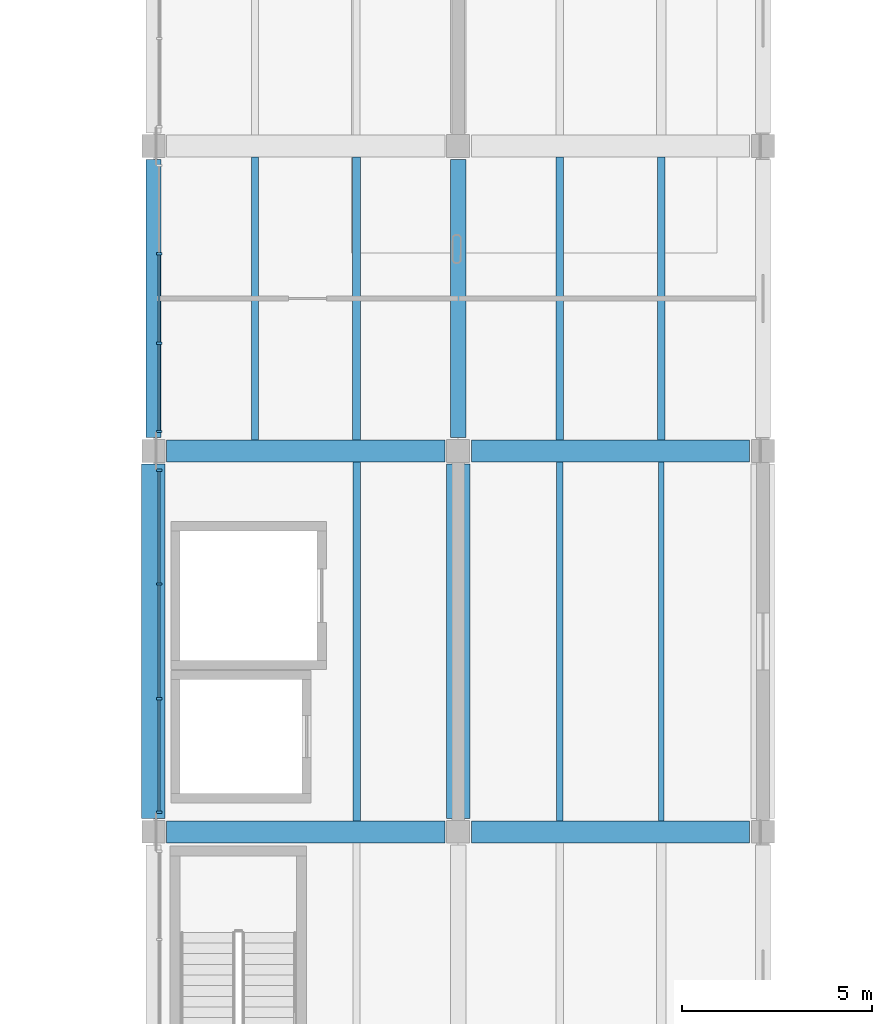
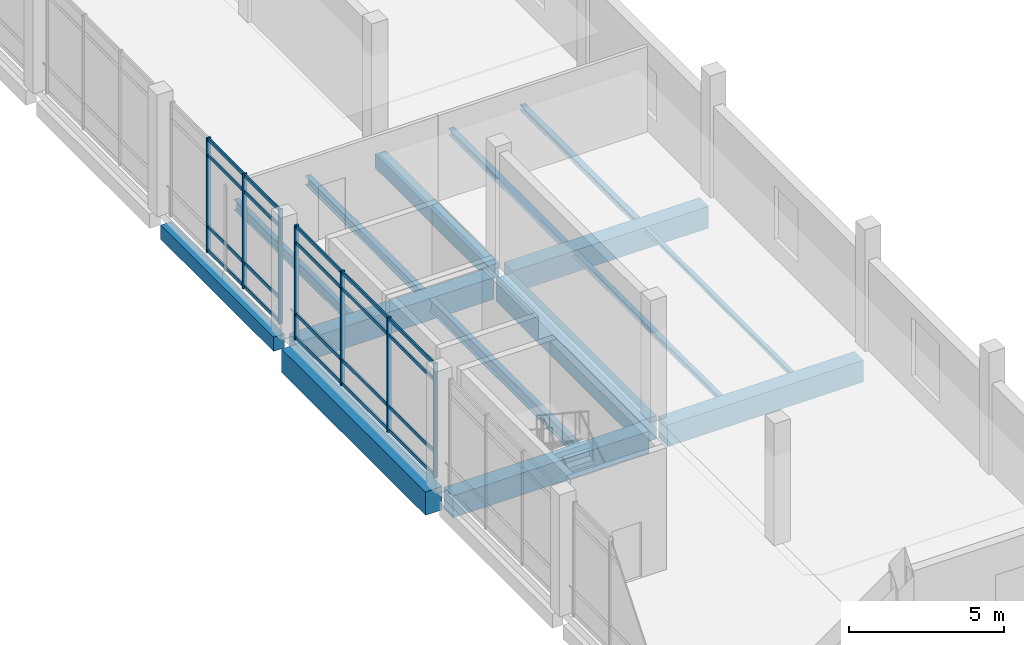
# One storey, part 15 of 47: 27 members, 15 beams, 2 elements without a shape of their own.
"""IFC4 building model written with IfcOpenShell, lengths in metres."""

from ifc_helpers import new_model, si_unit, direction, frame, origin, origin_2d, place, context, subcontext, project, spatial, rectangle, i_section, extrude, material, material_profile, profile_set, type_object, element, aggregate, save


model = new_model("IFC4")

# Units and contexts
model_context = context("Model", 3, precision=1e-05, world=origin(), true_north=direction((0.0, 1.0)))
body_context = subcontext(model_context, "Body", "Model", "MODEL_VIEW")
ifc_project = project(units=[si_unit("LENGTHUNIT", "METRE"), si_unit("AREAUNIT", "SQUARE_METRE"), si_unit("VOLUMEUNIT", "CUBIC_METRE"), si_unit("PLANEANGLEUNIT", "RADIAN"), si_unit("MASSUNIT", "GRAM", prefix="KILO")], contexts=[model_context])

# Site, building, storey
site_placement = place(None, origin())
site = spatial("IfcSite", under=ifc_project, at=site_placement, CompositionType="ELEMENT")
building_placement = place(site_placement, origin())
building = spatial("IfcBuilding", under=site, at=building_placement, Name="Pecanmere Concourse Central Library", CompositionType="ELEMENT")
storey_placement = place(building_placement, frame((0.0, 0.0, 15.300048828125)))
storey = spatial("IfcBuildingStorey", under=building, at=storey_placement, Name="L04", CompositionType="ELEMENT", Elevation=15.300048828125)

# Beams
ifc_material_1 = material(Name="Concrete C40/50", Category="concrete")
ifc_material_profile_1 = material_profile(ifc_material_1, rectangle(XDim=0.39990234375, YDim=0.56005859375, at=origin_2d()), Name="RC 400x560")
ifc_profile_set_1 = profile_set([ifc_material_profile_1], Name="Concrete C40/50")
beam_type_1 = type_object("IfcBeamType", Name="BM_400x560", PredefinedType="BEAM", material=ifc_profile_set_1)
for number, where, z_axis, x_axis, name in (
    (1, (112.0, 74.35009765625, -0.60009765625), (0.0, 1.0, 0.0), (-1.0, 0.0, 0.0), "Primary Girder Y L04-2292"),
    (2, (120.0, 74.35009765625, -0.60009765625), (0.0, 1.0, 0.0), (-1.0, 0.0, 0.0), "Primary Girder Y L04-2299"),
):
    element("IfcBeam", number, at=place(storey_placement, frame(where, z_axis=z_axis, x_axis=x_axis)), inside=storey, type_object=beam_type_1, Name=name, PredefinedType="BEAM", context=body_context, shape_type="SweptSolid", body=[
        extrude(rectangle(XDim=0.39990234375, YDim=0.56005859375, at=origin_2d()), origin(), (0.0, 0.0, 1.0), 7.2998046875),
    ])

# Curtain wall, members
ifc_material_2 = material(Name="Clear anodized aluminium alloy 6063-T6", Category="aluminium")
curtain_wall_type = type_object("IfcCurtainWallType", Name="CW_CLOISTER_GLAZ", PredefinedType="USERDEFINED", material=ifc_material_2)
curtain_wall_1_placement = place(storey_placement, origin())
curtain_wall_1 = element("IfcCurtainWall", 3, at=curtain_wall_1_placement, inside=storey, type_object=curtain_wall_type, Name="Unitised Curtain Wall CW-04 L04-143", ObjectType="UNITISED CURTAIN WALL", PredefinedType="USERDEFINED")
ifc_material_3 = material(Name="Clear anodized aluminium alloy 6063-T6", Category="aluminium")
ifc_material_profile_2 = material_profile(ifc_material_3, rectangle(XDim=0.06005859375, YDim=0.14990234375, at=origin_2d()), Name="AL 60x150")
ifc_profile_set_2 = profile_set([ifc_material_profile_2], Name="Clear anodized aluminium alloy 6063-T6")
member_type_1 = type_object("IfcMemberType", Name="CWM_150x60", PredefinedType="MULLION", material=ifc_profile_set_2)
member_1_placement = place(storey_placement, frame((112.14990234375, 73.489990234375, 0.0), z_axis=(0.0, 0.0, 1.0), x_axis=(0.0, -1.0, 0.0)))
member_1 = element("IfcMember", 4, at=member_1_placement, type_object=member_type_1, Name="CW-04 Mullion 1", PredefinedType="MULLION", context=body_context, shape_type="SweptSolid", body=[
    extrude(rectangle(XDim=0.06005859375, YDim=0.14990234375, at=origin_2d()), origin(), (0.0, 0.0, 1.0), 4.52001953125),
])
member_2_placement = place(storey_placement, frame((112.14990234375, 70.506591796875, 0.0), z_axis=(0.0, 0.0, 1.0), x_axis=(0.0, -1.0, 0.0)))
member_2 = element("IfcMember", 5, at=member_2_placement, type_object=member_type_1, Name="CW-04 Mullion 2", PredefinedType="MULLION", context=body_context, shape_type="SweptSolid", body=[
    extrude(rectangle(XDim=0.06005859375, YDim=0.14990234375, at=origin_2d()), origin(), (0.0, 0.0, 1.0), 4.52001953125),
])
member_3_placement = place(storey_placement, frame((112.14990234375, 67.493408203125, 0.0), z_axis=(0.0, 0.0, 1.0), x_axis=(0.0, -1.0, 0.0)))
member_3 = element("IfcMember", 6, at=member_3_placement, type_object=member_type_1, Name="CW-04 Mullion 3", PredefinedType="MULLION", context=body_context, shape_type="SweptSolid", body=[
    extrude(rectangle(XDim=0.06005859375, YDim=0.14990234375, at=origin_2d()), origin(), (0.0, 0.0, 1.0), 4.52001953125),
])
member_4_placement = place(storey_placement, frame((112.14990234375, 64.510009765625, 0.0), z_axis=(0.0, 0.0, 1.0), x_axis=(0.0, -1.0, 0.0)))
member_4 = element("IfcMember", 7, at=member_4_placement, type_object=member_type_1, Name="CW-04 Mullion 4", PredefinedType="MULLION", context=body_context, shape_type="SweptSolid", body=[
    extrude(rectangle(XDim=0.06005859375, YDim=0.14990234375, at=origin_2d()), origin(), (0.0, 0.0, 1.0), 4.52001953125),
])

curtain_wall_2_placement = place(storey_placement, origin())
curtain_wall_2 = element("IfcCurtainWall", 8, at=curtain_wall_2_placement, inside=storey, type_object=curtain_wall_type, Name="Unitised Curtain Wall CW-04 L04-145", ObjectType="UNITISED CURTAIN WALL", PredefinedType="USERDEFINED")
member_5_placement = place(storey_placement, frame((112.14990234375, 79.17333984375, 0.0), z_axis=(0.0, 0.0, 1.0), x_axis=(0.0, -1.0, 0.0)))
member_5 = element("IfcMember", 9, at=member_5_placement, type_object=member_type_1, Name="CW-04 Mullion 2", PredefinedType="MULLION", context=body_context, shape_type="SweptSolid", body=[
    extrude(rectangle(XDim=0.06005859375, YDim=0.14990234375, at=origin_2d()), origin(), (0.0, 0.0, 1.0), 4.52001953125),
])
member_6_placement = place(storey_placement, frame((112.14990234375, 76.82666015625, 0.0), z_axis=(0.0, 0.0, 1.0), x_axis=(0.0, -1.0, 0.0)))
member_6 = element("IfcMember", 10, at=member_6_placement, type_object=member_type_1, Name="CW-04 Mullion 3", PredefinedType="MULLION", context=body_context, shape_type="SweptSolid", body=[
    extrude(rectangle(XDim=0.06005859375, YDim=0.14990234375, at=origin_2d()), origin(), (0.0, 0.0, 1.0), 4.52001953125),
])
member_7_placement = place(storey_placement, frame((112.14990234375, 74.510009765625, 0.0), z_axis=(0.0, 0.0, 1.0), x_axis=(0.0, -1.0, 0.0)))
member_7 = element("IfcMember", 11, at=member_7_placement, type_object=member_type_1, Name="CW-04 Mullion 4", PredefinedType="MULLION", context=body_context, shape_type="SweptSolid", body=[
    extrude(rectangle(XDim=0.06005859375, YDim=0.14990234375, at=origin_2d()), origin(), (0.0, 0.0, 1.0), 4.52001953125),
])

# Member
ifc_material_4 = material(Name="Clear anodized aluminium alloy 6063-T6", Category="aluminium")
ifc_material_profile_3 = material_profile(ifc_material_4, rectangle(XDim=0.054931640625, YDim=0.139892578125, at=origin_2d()), Name="AL 55x140")
ifc_profile_set_3 = profile_set([ifc_material_profile_3], Name="Clear anodized aluminium alloy 6063-T6")
member_type_2 = type_object("IfcMemberType", Name="CWT_140x55", PredefinedType="USERDEFINED", material=ifc_profile_set_3)
member_8_placement = place(storey_placement, frame((112.14990234375, 73.4599609375, 0.070068359375), z_axis=(0.0, -1.0, 0.0), x_axis=(1.0, 0.0, 0.0)))
member_8 = element("IfcMember", 12, at=member_8_placement, type_object=member_type_2, Name="CW-04 Transom 1.1", ObjectType="TRANSOM", PredefinedType="USERDEFINED", context=body_context, shape_type="SweptSolid", body=[
    extrude(rectangle(XDim=0.054931640625, YDim=0.139892578125, at=origin_2d()), origin(), (0.0, 0.0, 1.0), 2.92333984375),
])

member_9_placement = place(storey_placement, frame((112.14990234375, 73.4599609375, 1.0), z_axis=(0.0, -1.0, 0.0), x_axis=(1.0, 0.0, 0.0)))
member_9 = element("IfcMember", 13, at=member_9_placement, type_object=member_type_2, Name="CW-04 Transom 1.2", ObjectType="TRANSOM", PredefinedType="USERDEFINED", context=body_context, shape_type="SweptSolid", body=[
    extrude(rectangle(XDim=0.054931640625, YDim=0.139892578125, at=origin_2d()), origin(), (0.0, 0.0, 1.0), 2.92333984375),
])

member_10_placement = place(storey_placement, frame((112.14990234375, 73.4599609375, 3.820068359375), z_axis=(0.0, -1.0, 0.0), x_axis=(1.0, 0.0, 0.0)))
member_10 = element("IfcMember", 14, at=member_10_placement, type_object=member_type_2, Name="CW-04 Transom 1.3", ObjectType="TRANSOM", PredefinedType="USERDEFINED", context=body_context, shape_type="SweptSolid", body=[
    extrude(rectangle(XDim=0.054931640625, YDim=0.139892578125, at=origin_2d()), origin(), (0.0, 0.0, 1.0), 2.92333984375),
])

member_11_placement = place(storey_placement, frame((112.14990234375, 73.4599609375, 4.449951171875), z_axis=(0.0, -1.0, 0.0), x_axis=(1.0, 0.0, 0.0)))
member_11 = element("IfcMember", 15, at=member_11_placement, type_object=member_type_2, Name="CW-04 Transom 1.4", ObjectType="TRANSOM", PredefinedType="USERDEFINED", context=body_context, shape_type="SweptSolid", body=[
    extrude(rectangle(XDim=0.054931640625, YDim=0.139892578125, at=origin_2d()), origin(), (0.0, 0.0, 1.0), 2.92333984375),
])

member_12_placement = place(storey_placement, frame((112.14990234375, 70.4765625, 0.070068359375), z_axis=(0.0, -1.0, 0.0), x_axis=(1.0, 0.0, 0.0)))
member_12 = element("IfcMember", 16, at=member_12_placement, type_object=member_type_2, Name="CW-04 Transom 2.1", ObjectType="TRANSOM", PredefinedType="USERDEFINED", context=body_context, shape_type="SweptSolid", body=[
    extrude(rectangle(XDim=0.054931640625, YDim=0.139892578125, at=origin_2d()), origin(), (0.0, 0.0, 1.0), 2.953125),
])

member_13_placement = place(storey_placement, frame((112.14990234375, 70.4765625, 1.0), z_axis=(0.0, -1.0, 0.0), x_axis=(1.0, 0.0, 0.0)))
member_13 = element("IfcMember", 17, at=member_13_placement, type_object=member_type_2, Name="CW-04 Transom 2.2", ObjectType="TRANSOM", PredefinedType="USERDEFINED", context=body_context, shape_type="SweptSolid", body=[
    extrude(rectangle(XDim=0.054931640625, YDim=0.139892578125, at=origin_2d()), origin(), (0.0, 0.0, 1.0), 2.953125),
])

member_14_placement = place(storey_placement, frame((112.14990234375, 70.4765625, 3.820068359375), z_axis=(0.0, -1.0, 0.0), x_axis=(1.0, 0.0, 0.0)))
member_14 = element("IfcMember", 18, at=member_14_placement, type_object=member_type_2, Name="CW-04 Transom 2.3", ObjectType="TRANSOM", PredefinedType="USERDEFINED", context=body_context, shape_type="SweptSolid", body=[
    extrude(rectangle(XDim=0.054931640625, YDim=0.139892578125, at=origin_2d()), origin(), (0.0, 0.0, 1.0), 2.953125),
])

member_15_placement = place(storey_placement, frame((112.14990234375, 70.4765625, 4.449951171875), z_axis=(0.0, -1.0, 0.0), x_axis=(1.0, 0.0, 0.0)))
member_15 = element("IfcMember", 19, at=member_15_placement, type_object=member_type_2, Name="CW-04 Transom 2.4", ObjectType="TRANSOM", PredefinedType="USERDEFINED", context=body_context, shape_type="SweptSolid", body=[
    extrude(rectangle(XDim=0.054931640625, YDim=0.139892578125, at=origin_2d()), origin(), (0.0, 0.0, 1.0), 2.953125),
])

member_16_placement = place(storey_placement, frame((112.14990234375, 67.46337890625, 0.070068359375), z_axis=(0.0, -1.0, 0.0), x_axis=(1.0, 0.0, 0.0)))
member_16 = element("IfcMember", 20, at=member_16_placement, type_object=member_type_2, Name="CW-04 Transom 3.1", ObjectType="TRANSOM", PredefinedType="USERDEFINED", context=body_context, shape_type="SweptSolid", body=[
    extrude(rectangle(XDim=0.054931640625, YDim=0.139892578125, at=origin_2d()), origin(), (0.0, 0.0, 1.0), 2.92333984375),
])

member_17_placement = place(storey_placement, frame((112.14990234375, 67.46337890625, 1.0), z_axis=(0.0, -1.0, 0.0), x_axis=(1.0, 0.0, 0.0)))
member_17 = element("IfcMember", 21, at=member_17_placement, type_object=member_type_2, Name="CW-04 Transom 3.2", ObjectType="TRANSOM", PredefinedType="USERDEFINED", context=body_context, shape_type="SweptSolid", body=[
    extrude(rectangle(XDim=0.054931640625, YDim=0.139892578125, at=origin_2d()), origin(), (0.0, 0.0, 1.0), 2.92333984375),
])

member_18_placement = place(storey_placement, frame((112.14990234375, 67.46337890625, 3.820068359375), z_axis=(0.0, -1.0, 0.0), x_axis=(1.0, 0.0, 0.0)))
member_18 = element("IfcMember", 22, at=member_18_placement, type_object=member_type_2, Name="CW-04 Transom 3.3", ObjectType="TRANSOM", PredefinedType="USERDEFINED", context=body_context, shape_type="SweptSolid", body=[
    extrude(rectangle(XDim=0.054931640625, YDim=0.139892578125, at=origin_2d()), origin(), (0.0, 0.0, 1.0), 2.92333984375),
])

member_19_placement = place(storey_placement, frame((112.14990234375, 67.46337890625, 4.449951171875), z_axis=(0.0, -1.0, 0.0), x_axis=(1.0, 0.0, 0.0)))
member_19 = element("IfcMember", 23, at=member_19_placement, type_object=member_type_2, Name="CW-04 Transom 3.4", ObjectType="TRANSOM", PredefinedType="USERDEFINED", context=body_context, shape_type="SweptSolid", body=[
    extrude(rectangle(XDim=0.054931640625, YDim=0.139892578125, at=origin_2d()), origin(), (0.0, 0.0, 1.0), 2.92333984375),
])

aggregate(curtain_wall_1, [member_1, member_2, member_3, member_4, member_8, member_9, member_10, member_11, member_12, member_13, member_14, member_15, member_16, member_17, member_18, member_19])

member_20_placement = place(storey_placement, frame((112.14990234375, 79.143310546875, 0.070068359375), z_axis=(0.0, -1.0, 0.0), x_axis=(1.0, 0.0, 0.0)))
member_20 = element("IfcMember", 24, at=member_20_placement, type_object=member_type_2, Name="CW-04 Transom 2.1", ObjectType="TRANSOM", PredefinedType="USERDEFINED", context=body_context, shape_type="SweptSolid", body=[
    extrude(rectangle(XDim=0.054931640625, YDim=0.139892578125, at=origin_2d()), origin(), (0.0, 0.0, 1.0), 2.28662109375),
])

member_21_placement = place(storey_placement, frame((112.14990234375, 79.143310546875, 1.0), z_axis=(0.0, -1.0, 0.0), x_axis=(1.0, 0.0, 0.0)))
member_21 = element("IfcMember", 25, at=member_21_placement, type_object=member_type_2, Name="CW-04 Transom 2.2", ObjectType="TRANSOM", PredefinedType="USERDEFINED", context=body_context, shape_type="SweptSolid", body=[
    extrude(rectangle(XDim=0.054931640625, YDim=0.139892578125, at=origin_2d()), origin(), (0.0, 0.0, 1.0), 2.28662109375),
])

member_22_placement = place(storey_placement, frame((112.14990234375, 79.143310546875, 3.820068359375), z_axis=(0.0, -1.0, 0.0), x_axis=(1.0, 0.0, 0.0)))
member_22 = element("IfcMember", 26, at=member_22_placement, type_object=member_type_2, Name="CW-04 Transom 2.3", ObjectType="TRANSOM", PredefinedType="USERDEFINED", context=body_context, shape_type="SweptSolid", body=[
    extrude(rectangle(XDim=0.054931640625, YDim=0.139892578125, at=origin_2d()), origin(), (0.0, 0.0, 1.0), 2.28662109375),
])

member_23_placement = place(storey_placement, frame((112.14990234375, 79.143310546875, 4.449951171875), z_axis=(0.0, -1.0, 0.0), x_axis=(1.0, 0.0, 0.0)))
member_23 = element("IfcMember", 27, at=member_23_placement, type_object=member_type_2, Name="CW-04 Transom 2.4", ObjectType="TRANSOM", PredefinedType="USERDEFINED", context=body_context, shape_type="SweptSolid", body=[
    extrude(rectangle(XDim=0.054931640625, YDim=0.139892578125, at=origin_2d()), origin(), (0.0, 0.0, 1.0), 2.28662109375),
])

member_24_placement = place(storey_placement, frame((112.14990234375, 76.796630859375, 0.070068359375), z_axis=(0.0, -1.0, 0.0), x_axis=(1.0, 0.0, 0.0)))
member_24 = element("IfcMember", 28, at=member_24_placement, type_object=member_type_2, Name="CW-04 Transom 3.1", ObjectType="TRANSOM", PredefinedType="USERDEFINED", context=body_context, shape_type="SweptSolid", body=[
    extrude(rectangle(XDim=0.054931640625, YDim=0.139892578125, at=origin_2d()), origin(), (0.0, 0.0, 1.0), 2.256591796875),
])

member_25_placement = place(storey_placement, frame((112.14990234375, 76.796630859375, 1.0), z_axis=(0.0, -1.0, 0.0), x_axis=(1.0, 0.0, 0.0)))
member_25 = element("IfcMember", 29, at=member_25_placement, type_object=member_type_2, Name="CW-04 Transom 3.2", ObjectType="TRANSOM", PredefinedType="USERDEFINED", context=body_context, shape_type="SweptSolid", body=[
    extrude(rectangle(XDim=0.054931640625, YDim=0.139892578125, at=origin_2d()), origin(), (0.0, 0.0, 1.0), 2.256591796875),
])

member_26_placement = place(storey_placement, frame((112.14990234375, 76.796630859375, 3.820068359375), z_axis=(0.0, -1.0, 0.0), x_axis=(1.0, 0.0, 0.0)))
member_26 = element("IfcMember", 30, at=member_26_placement, type_object=member_type_2, Name="CW-04 Transom 3.3", ObjectType="TRANSOM", PredefinedType="USERDEFINED", context=body_context, shape_type="SweptSolid", body=[
    extrude(rectangle(XDim=0.054931640625, YDim=0.139892578125, at=origin_2d()), origin(), (0.0, 0.0, 1.0), 2.256591796875),
])

member_27_placement = place(storey_placement, frame((112.14990234375, 76.796630859375, 4.449951171875), z_axis=(0.0, -1.0, 0.0), x_axis=(1.0, 0.0, 0.0)))
member_27 = element("IfcMember", 31, at=member_27_placement, type_object=member_type_2, Name="CW-04 Transom 3.4", ObjectType="TRANSOM", PredefinedType="USERDEFINED", context=body_context, shape_type="SweptSolid", body=[
    extrude(rectangle(XDim=0.054931640625, YDim=0.139892578125, at=origin_2d()), origin(), (0.0, 0.0, 1.0), 2.256591796875),
])

aggregate(curtain_wall_2, [member_5, member_6, member_7, member_20, member_21, member_22, member_23, member_24, member_25, member_26, member_27])

# Beams
ifc_material_5 = material(Name="Concrete C40/50", Category="concrete")
ifc_material_profile_4 = material_profile(ifc_material_5, rectangle(XDim=0.580078125, YDim=0.860107421875, at=origin_2d()), Name="RC 580x860")
ifc_profile_set_4 = profile_set([ifc_material_profile_4], Name="Concrete C40/50")
beam_type_2 = type_object("IfcBeamType", Name="GRD_580x860", PredefinedType="USERDEFINED", material=ifc_profile_set_4)
for number, where, z_axis, x_axis, name in (
    (32, (112.35009765625, 64.0, -0.75), (1.0, 0.0, 0.0), (0.0, 1.0, 0.0), "Primary Girder X L04-2169"),
    (33, (120.35009765625, 64.0, -0.75), (1.0, 0.0, 0.0), (0.0, 1.0, 0.0), "Primary Girder X L04-2170"),
    (34, (112.35009765625, 74.0, -0.75), (1.0, 0.0, 0.0), (0.0, 1.0, 0.0), "Primary Girder X L04-2173"),
    (35, (120.35009765625, 74.0, -0.75), (1.0, 0.0, 0.0), (0.0, 1.0, 0.0), "Primary Girder X L04-2174"),
):
    element("IfcBeam", number, at=place(storey_placement, frame(where, z_axis=z_axis, x_axis=x_axis)), inside=storey, type_object=beam_type_2, Name=name, ObjectType="GIRDER", PredefinedType="USERDEFINED", context=body_context, shape_type="SweptSolid", body=[
        extrude(rectangle(XDim=0.580078125, YDim=0.860107421875, at=origin_2d()), origin(), (0.0, 0.0, 1.0), 7.2998046875),
    ])
ifc_material_6 = material(Name="Concrete C40/50", Category="concrete")
ifc_material_profile_5 = material_profile(ifc_material_6, rectangle(XDim=0.6201171875, YDim=0.919921875, at=origin_2d()), Name="RC 620x920")
ifc_profile_set_5 = profile_set([ifc_material_profile_5], Name="Concrete C40/50")
beam_type_3 = type_object("IfcBeamType", Name="GRD_620x920", PredefinedType="USERDEFINED", material=ifc_profile_set_5)
for number, where, z_axis, x_axis, name in (
    (36, (112.0, 64.35009765625, -0.780029296875), (0.0, 1.0, 0.0), (-1.0, 0.0, 0.0), "Primary Girder Y L04-2291"),
    (37, (120.0, 64.35009765625, -0.780029296875), (0.0, 1.0, 0.0), (-1.0, 0.0, 0.0), "Primary Girder Y L04-2298"),
):
    element("IfcBeam", number, at=place(storey_placement, frame(where, z_axis=z_axis, x_axis=x_axis)), inside=storey, type_object=beam_type_3, Name=name, ObjectType="GIRDER", PredefinedType="USERDEFINED", context=body_context, shape_type="SweptSolid", body=[
        extrude(rectangle(XDim=0.6201171875, YDim=0.919921875, at=origin_2d()), origin(), (0.0, 0.0, 1.0), 9.2998046875),
    ])
ifc_material_7 = material(Name="Structural steel ASTM A992 Grade 50", Category="steel")
ifc_material_profile_6 = material_profile(ifc_material_7, i_section(OverallWidth=0.152099609375, OverallDepth=0.152099609375, WebThickness=0.005859375, FlangeThickness=0.006591796875, at=origin_2d()), Name="W150x22.5")
ifc_profile_set_6 = profile_set([ifc_material_profile_6], Name="Structural steel ASTM A992 Grade 50")
beam_type_4 = type_object("IfcBeamType", Name="SBM_W150x22", PredefinedType="LINTEL", material=ifc_profile_set_6)
beam_1_placement = place(storey_placement, frame((125.333251953125, 64.2900390625, -0.39599609375), z_axis=(0.0, 1.0, 0.0), x_axis=(-1.0, 0.0, 0.0)))
element("IfcBeam", 38, at=beam_1_placement, inside=storey, type_object=beam_type_4, Name="Secondary Floor Joist L04-2417", PredefinedType="LINTEL", context=body_context, shape_type="SweptSolid", body=[
    extrude(i_section(OverallWidth=0.152099609375, OverallDepth=0.152099609375, WebThickness=0.005859375, FlangeThickness=0.006591796875, at=origin_2d()), origin(), (0.0, 0.0, 1.0), 9.419921875),
])
ifc_material_8 = material(Name="Structural steel ASTM A992 Grade 50", Category="steel")
ifc_material_profile_7 = material_profile(ifc_material_8, i_section(OverallWidth=0.1650390625, OverallDepth=0.200927734375, WebThickness=0.006103515625, FlangeThickness=0.01025390625, at=origin_2d()), Name="W200x35.9")
ifc_profile_set_7 = profile_set([ifc_material_profile_7], Name="Structural steel ASTM A992 Grade 50")
beam_type_5 = type_object("IfcBeamType", Name="SBM_W200x36", PredefinedType="LINTEL", material=ifc_profile_set_7)
beam_2_placement = place(storey_placement, frame((122.666748046875, 64.2900390625, -0.420654296875), z_axis=(0.0, 1.0, 0.0), x_axis=(-1.0, 0.0, 0.0)))
element("IfcBeam", 39, at=beam_2_placement, inside=storey, type_object=beam_type_5, Name="Secondary Floor Joist L04-2416", PredefinedType="LINTEL", context=body_context, shape_type="SweptSolid", body=[
    extrude(i_section(OverallWidth=0.1650390625, OverallDepth=0.200927734375, WebThickness=0.006103515625, FlangeThickness=0.01025390625, at=origin_2d()), origin(), (0.0, 0.0, 1.0), 9.419921875),
])
ifc_material_9 = material(Name="Structural steel ASTM A992 Grade 50", Category="steel")
ifc_material_profile_8 = material_profile(ifc_material_9, i_section(OverallWidth=0.2041015625, OverallDepth=0.2060546875, WebThickness=0.0078125, FlangeThickness=0.0126953125, at=origin_2d()), Name="W200x52")
ifc_profile_set_8 = profile_set([ifc_material_profile_8], Name="Structural steel ASTM A992 Grade 50")
beam_type_6 = type_object("IfcBeamType", Name="SBM_W200x52", PredefinedType="JOIST", material=ifc_profile_set_8)
beam_3_placement = place(storey_placement, frame((125.333251953125, 74.2900390625, -0.423095703125), z_axis=(0.0, 1.0, 0.0), x_axis=(-1.0, 0.0, 0.0)))
element("IfcBeam", 40, at=beam_3_placement, inside=storey, type_object=beam_type_6, Name="Secondary Floor Joist L04-2419", PredefinedType="JOIST", context=body_context, shape_type="SweptSolid", body=[
    extrude(i_section(OverallWidth=0.2041015625, OverallDepth=0.2060546875, WebThickness=0.0078125, FlangeThickness=0.0126953125, at=origin_2d()), origin(), (0.0, 0.0, 1.0), 7.419921875),
])
ifc_material_10 = material(Name="Structural steel ASTM A992 Grade 50", Category="steel")
ifc_material_profile_9 = material_profile(ifc_material_10, i_section(OverallWidth=0.201904296875, OverallDepth=0.2470703125, WebThickness=0.00732421875, FlangeThickness=0.010986328125, at=origin_2d()), Name="W250x49.1")
ifc_profile_set_9 = profile_set([ifc_material_profile_9], Name="Structural steel ASTM A992 Grade 50")
beam_type_7 = type_object("IfcBeamType", Name="SBM_W250x49", PredefinedType="JOIST", material=ifc_profile_set_9)
beam_4_placement = place(storey_placement, frame((122.666748046875, 74.2900390625, -0.443603515625), z_axis=(0.0, 1.0, 0.0), x_axis=(-1.0, 0.0, 0.0)))
element("IfcBeam", 41, at=beam_4_placement, inside=storey, type_object=beam_type_7, Name="Secondary Floor Joist L04-2418", PredefinedType="JOIST", context=body_context, shape_type="SweptSolid", body=[
    extrude(i_section(OverallWidth=0.201904296875, OverallDepth=0.2470703125, WebThickness=0.00732421875, FlangeThickness=0.010986328125, at=origin_2d()), origin(), (0.0, 0.0, 1.0), 7.419921875),
])
ifc_material_11 = material(Name="Structural steel ASTM A992 Grade 50", Category="steel")
ifc_material_profile_10 = material_profile(ifc_material_11, i_section(OverallWidth=0.202880859375, OverallDepth=0.346923828125, WebThickness=0.0078125, FlangeThickness=0.013427734375, at=origin_2d()), Name="W360x64")
ifc_profile_set_10 = profile_set([ifc_material_profile_10], Name="Structural steel ASTM A992 Grade 50")
beam_type_8 = type_object("IfcBeamType", Name="SBM_W360x64", PredefinedType="JOIST", material=ifc_profile_set_10)
beam_5_placement = place(storey_placement, frame((117.333251953125, 74.2900390625, -0.49365234375), z_axis=(0.0, 1.0, 0.0), x_axis=(-1.0, 0.0, 0.0)))
element("IfcBeam", 42, at=beam_5_placement, inside=storey, type_object=beam_type_8, Name="Secondary Floor Joist L04-2405", PredefinedType="JOIST", context=body_context, shape_type="SweptSolid", body=[
    extrude(i_section(OverallWidth=0.202880859375, OverallDepth=0.346923828125, WebThickness=0.0078125, FlangeThickness=0.013427734375, at=origin_2d()), origin(), (0.0, 0.0, 1.0), 7.419921875),
])
ifc_material_12 = material(Name="Structural steel ASTM A992 Grade 50", Category="steel")
ifc_material_profile_11 = material_profile(ifc_material_12, i_section(OverallWidth=0.177978515625, OverallDepth=0.406982421875, WebThickness=0.0078125, FlangeThickness=0.0126953125, at=origin_2d()), Name="W410x60")
ifc_profile_set_11 = profile_set([ifc_material_profile_11], Name="Structural steel ASTM A992 Grade 50")
beam_type_9 = type_object("IfcBeamType", Name="SBM_W410x60", PredefinedType="JOIST", material=ifc_profile_set_11)
beam_6_placement = place(storey_placement, frame((114.666748046875, 74.2900390625, -0.5234375), z_axis=(0.0, 1.0, 0.0), x_axis=(-1.0, 0.0, 0.0)))
element("IfcBeam", 43, at=beam_6_placement, inside=storey, type_object=beam_type_9, Name="Secondary Floor Joist L04-2404", PredefinedType="JOIST", context=body_context, shape_type="SweptSolid", body=[
    extrude(i_section(OverallWidth=0.177978515625, OverallDepth=0.406982421875, WebThickness=0.0078125, FlangeThickness=0.0126953125, at=origin_2d()), origin(), (0.0, 0.0, 1.0), 7.419921875),
])
ifc_material_13 = material(Name="Structural steel ASTM A992 Grade 50", Category="steel")
ifc_material_profile_12 = material_profile(ifc_material_13, i_section(OverallWidth=0.194091796875, OverallDepth=0.468994140625, WebThickness=0.0126953125, FlangeThickness=0.0205078125, at=origin_2d()), Name="W460x106")
ifc_profile_set_12 = profile_set([ifc_material_profile_12], Name="Structural steel ASTM A992 Grade 50")
beam_type_10 = type_object("IfcBeamType", Name="SBM_W460x106", PredefinedType="USERDEFINED", material=ifc_profile_set_12)
beam_7_placement = place(storey_placement, frame((117.333251953125, 64.2900390625, -0.554443359375), z_axis=(0.0, 1.0, 0.0), x_axis=(-1.0, 0.0, 0.0)))
element("IfcBeam", 44, at=beam_7_placement, inside=storey, type_object=beam_type_10, Name="Secondary Floor Joist L04-2403", ObjectType="GIRDER", PredefinedType="USERDEFINED", context=body_context, shape_type="SweptSolid", body=[
    extrude(i_section(OverallWidth=0.194091796875, OverallDepth=0.468994140625, WebThickness=0.0126953125, FlangeThickness=0.0205078125, at=origin_2d()), origin(), (0.0, 0.0, 1.0), 9.419921875),
])

save(model, "model.ifc")
